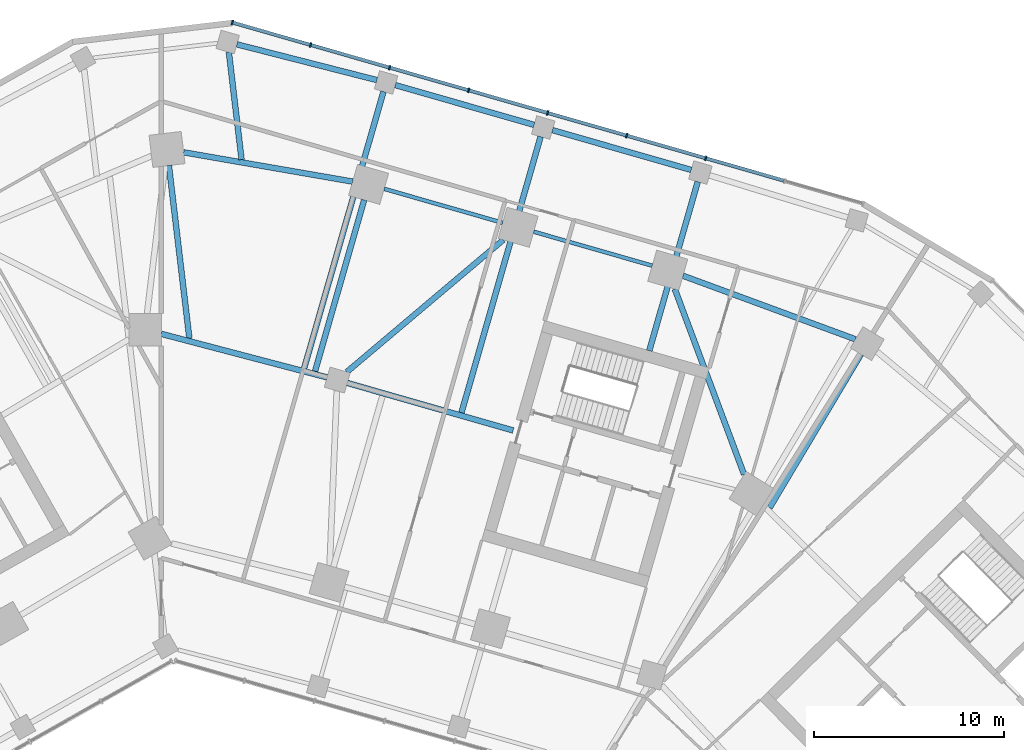
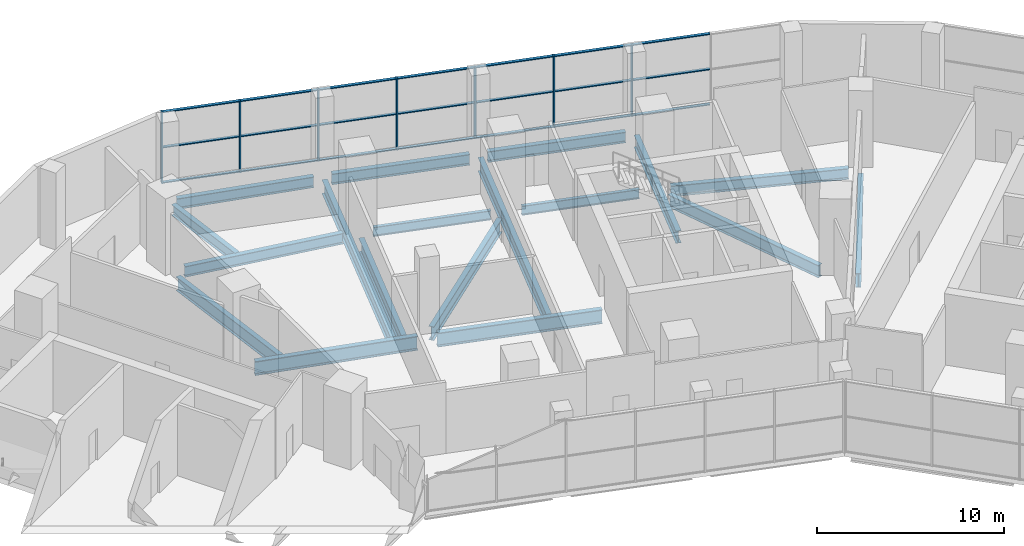
# One storey, part 7 of 18: 28 members, 18 beams, 1 element without a shape of its own.
"""IFC4 building model written with IfcOpenShell, lengths in metres."""

from ifc_helpers import new_model, si_unit, direction, frame, origin, origin_2d, place, context, subcontext, project, spatial, rectangle, i_section, extrude, material, material_profile, profile_set, type_object, element, aggregate, save


model = new_model("IFC4")

# Units and contexts
model_context = context("Model", 3, precision=1e-05, world=origin(), true_north=direction((0.0, 1.0)))
body_context = subcontext(model_context, "Body", "Model", "MODEL_VIEW")
ifc_project = project(units=[si_unit("LENGTHUNIT", "METRE"), si_unit("AREAUNIT", "SQUARE_METRE"), si_unit("VOLUMEUNIT", "CUBIC_METRE"), si_unit("PLANEANGLEUNIT", "RADIAN"), si_unit("MASSUNIT", "GRAM", prefix="KILO")], contexts=[model_context])

# Site, building, storey
site_placement = place(None, origin())
site = spatial("IfcSite", under=ifc_project, at=site_placement, CompositionType="ELEMENT")
building_placement = place(site_placement, origin())
building = spatial("IfcBuilding", under=site, at=building_placement, Name="Binnacle Exchange Tower", CompositionType="ELEMENT")
storey_placement = place(building_placement, frame((0.0, 0.0, 6.5)))
storey = spatial("IfcBuildingStorey", under=building, at=storey_placement, Name="L01", CompositionType="ELEMENT", Elevation=6.5)

# Curtain wall, members
ifc_material_1 = material(Name="Bronze anodised aluminium frame", Category="aluminium")
curtain_wall_type = type_object("IfcCurtainWallType", Name="External wall - curtain wall north entrance", PredefinedType="NOTDEFINED", material=ifc_material_1)
curtain_wall_placement = place(storey_placement, origin())
curtain_wall = element("IfcCurtainWall", 1, at=curtain_wall_placement, inside=storey, type_object=curtain_wall_type, Name="External wall curtain wall CW2-P00 L01", PredefinedType="NOTDEFINED")
ifc_material_profile_1 = material_profile(ifc_material_1, rectangle(XDim=0.25, YDim=0.080078125, at=origin_2d()), Name="AL 80x250")
ifc_profile_set_1 = profile_set([ifc_material_profile_1], Name="Bronze anodised aluminium frame")
member_type_1 = type_object("IfcMemberType", Name="CW2 MULLION 80x250", PredefinedType="MULLION", material=ifc_profile_set_1)
member_1_placement = place(storey_placement, frame((28.597412109375, 69.001220703125, 0.0), z_axis=(0.0, 0.0, 1.0), x_axis=(-0.275636946471, -0.961261813316, 0.0)))
member_1 = element("IfcMember", 2, at=member_1_placement, type_object=member_type_1, Name="CW2-P00 mullion 3", PredefinedType="MULLION", context=body_context, shape_type="SweptSolid", body=[
    extrude(rectangle(XDim=0.25, YDim=0.080078125, at=origin_2d()), origin(), (0.0, 0.0, 1.0), 4.64990234375),
])
member_2_placement = place(storey_placement, frame((24.446044921875, 70.191650390625, 0.0), z_axis=(0.0, 0.0, 1.0), x_axis=(-0.275636946471, -0.961261813316, 0.0)))
member_2 = element("IfcMember", 3, at=member_2_placement, type_object=member_type_1, Name="CW2-P00 mullion 4", PredefinedType="MULLION", context=body_context, shape_type="SweptSolid", body=[
    extrude(rectangle(XDim=0.25, YDim=0.080078125, at=origin_2d()), origin(), (0.0, 0.0, 1.0), 4.64990234375),
])
member_3_placement = place(storey_placement, frame((20.294677734375, 71.382080078125, 0.0), z_axis=(0.0, 0.0, 1.0), x_axis=(-0.275636946471, -0.961261813316, 0.0)))
member_3 = element("IfcMember", 4, at=member_3_placement, type_object=member_type_1, Name="CW2-P00 mullion 5", PredefinedType="MULLION", context=body_context, shape_type="SweptSolid", body=[
    extrude(rectangle(XDim=0.25, YDim=0.080078125, at=origin_2d()), origin(), (0.0, 0.0, 1.0), 4.64990234375),
])
member_4_placement = place(storey_placement, frame((16.143310546875, 72.572509765625, 0.0), z_axis=(0.0, 0.0, 1.0), x_axis=(-0.275636946471, -0.961261813316, 0.0)))
member_4 = element("IfcMember", 5, at=member_4_placement, type_object=member_type_1, Name="CW2-P00 mullion 6", PredefinedType="MULLION", context=body_context, shape_type="SweptSolid", body=[
    extrude(rectangle(XDim=0.25, YDim=0.080078125, at=origin_2d()), origin(), (0.0, 0.0, 1.0), 4.64990234375),
])
member_5_placement = place(storey_placement, frame((11.991943359375, 73.762939453125, 0.0), z_axis=(0.0, 0.0, 1.0), x_axis=(-0.275636946471, -0.961261813316, 0.0)))
member_5 = element("IfcMember", 6, at=member_5_placement, type_object=member_type_1, Name="CW2-P00 mullion 7", PredefinedType="MULLION", context=body_context, shape_type="SweptSolid", body=[
    extrude(rectangle(XDim=0.25, YDim=0.080078125, at=origin_2d()), origin(), (0.0, 0.0, 1.0), 4.64990234375),
])
member_6_placement = place(storey_placement, frame((7.840576171875, 74.953125, 0.0), z_axis=(0.0, 0.0, 1.0), x_axis=(-0.275636946471, -0.961261813316, 0.0)))
member_6 = element("IfcMember", 7, at=member_6_placement, type_object=member_type_1, Name="CW2-P00 mullion 8", PredefinedType="MULLION", context=body_context, shape_type="SweptSolid", body=[
    extrude(rectangle(XDim=0.25, YDim=0.080078125, at=origin_2d()), origin(), (0.0, 0.0, 1.0), 4.64990234375),
])
member_7_placement = place(storey_placement, frame((3.727783203125, 76.132568359375, 0.0), z_axis=(0.0, 0.0, 1.0), x_axis=(-0.275636946471, -0.961261813316, 0.0)))
member_7 = element("IfcMember", 8, at=member_7_placement, type_object=member_type_1, Name="CW2-P00 mullion 9", PredefinedType="MULLION", context=body_context, shape_type="SweptSolid", body=[
    extrude(rectangle(XDim=0.25, YDim=0.080078125, at=origin_2d()), origin(), (0.0, 0.0, 1.0), 4.64990234375),
])
ifc_material_profile_2 = material_profile(ifc_material_1, rectangle(XDim=0.179931640625, YDim=0.06005859375, at=origin_2d()), Name="AL 180x60")
ifc_profile_set_2 = profile_set([ifc_material_profile_2], Name="Bronze anodised aluminium frame")
member_type_2 = type_object("IfcMemberType", Name="CW2 TRANSOM 60x180", PredefinedType="USERDEFINED", material=ifc_profile_set_2)
member_8_placement = place(storey_placement, frame((32.710205078125, 67.822021484375, 0.030029296875), z_axis=(-0.961269230789, 0.275611077316, 0.0), x_axis=(-0.275611077316, -0.961269230789, 0.0)))
member_8 = element("IfcMember", 9, at=member_8_placement, type_object=member_type_2, Name="CW2-P00 transom 2.1", ObjectType="TRANSOM", PredefinedType="USERDEFINED", context=body_context, shape_type="SweptSolid", body=[
    extrude(rectangle(XDim=0.179931640625, YDim=0.06005859375, at=origin_2d()), origin(), (0.0, 0.0, 1.0), 4.238525390625),
])
member_9_placement = place(storey_placement, frame((32.710205078125, 67.822021484375, 2.324951171875), z_axis=(-0.961269230789, 0.275611077316, 0.0), x_axis=(-0.275611077316, -0.961269230789, 0.0)))
member_9 = element("IfcMember", 10, at=member_9_placement, type_object=member_type_2, Name="CW2-P00 transom 2.2", ObjectType="TRANSOM", PredefinedType="USERDEFINED", context=body_context, shape_type="SweptSolid", body=[
    extrude(rectangle(XDim=0.179931640625, YDim=0.06005859375, at=origin_2d()), origin(), (0.0, 0.0, 1.0), 4.238525390625),
])
member_10_placement = place(storey_placement, frame((32.710205078125, 67.822021484375, 4.6201171875), z_axis=(-0.961269230789, 0.275611077316, 0.0), x_axis=(-0.275611077316, -0.961269230789, 0.0)))
member_10 = element("IfcMember", 11, at=member_10_placement, type_object=member_type_2, Name="CW2-P00 transom 2.3", ObjectType="TRANSOM", PredefinedType="USERDEFINED", context=body_context, shape_type="SweptSolid", body=[
    extrude(rectangle(XDim=0.179931640625, YDim=0.06005859375, at=origin_2d()), origin(), (0.0, 0.0, 1.0), 4.238525390625),
])
member_11_placement = place(storey_placement, frame((28.558837890625, 69.012451171875, 0.030029296875), z_axis=(-0.961269230789, 0.275611077316, 0.0), x_axis=(-0.275611077316, -0.961269230789, 0.0)))
member_11 = element("IfcMember", 12, at=member_11_placement, type_object=member_type_2, Name="CW2-P00 transom 3.1", ObjectType="TRANSOM", PredefinedType="USERDEFINED", context=body_context, shape_type="SweptSolid", body=[
    extrude(rectangle(XDim=0.179931640625, YDim=0.06005859375, at=origin_2d()), origin(), (0.0, 0.0, 1.0), 4.238525390625),
])
member_12_placement = place(storey_placement, frame((28.558837890625, 69.012451171875, 2.324951171875), z_axis=(-0.961269230789, 0.275611077316, 0.0), x_axis=(-0.275611077316, -0.961269230789, 0.0)))
member_12 = element("IfcMember", 13, at=member_12_placement, type_object=member_type_2, Name="CW2-P00 transom 3.2", ObjectType="TRANSOM", PredefinedType="USERDEFINED", context=body_context, shape_type="SweptSolid", body=[
    extrude(rectangle(XDim=0.179931640625, YDim=0.06005859375, at=origin_2d()), origin(), (0.0, 0.0, 1.0), 4.238525390625),
])
member_13_placement = place(storey_placement, frame((28.558837890625, 69.012451171875, 4.6201171875), z_axis=(-0.961269230789, 0.275611077316, 0.0), x_axis=(-0.275611077316, -0.961269230789, 0.0)))
member_13 = element("IfcMember", 14, at=member_13_placement, type_object=member_type_2, Name="CW2-P00 transom 3.3", ObjectType="TRANSOM", PredefinedType="USERDEFINED", context=body_context, shape_type="SweptSolid", body=[
    extrude(rectangle(XDim=0.179931640625, YDim=0.06005859375, at=origin_2d()), origin(), (0.0, 0.0, 1.0), 4.238525390625),
])
member_14_placement = place(storey_placement, frame((24.407470703125, 70.20263671875, 0.030029296875), z_axis=(-0.961249592204, 0.275679563057, 0.0), x_axis=(-0.275679563057, -0.961249592204, 0.0)))
member_14 = element("IfcMember", 15, at=member_14_placement, type_object=member_type_2, Name="CW2-P00 transom 4.1", ObjectType="TRANSOM", PredefinedType="USERDEFINED", context=body_context, shape_type="SweptSolid", body=[
    extrude(rectangle(XDim=0.179931640625, YDim=0.06005859375, at=origin_2d()), origin(), (0.0, 0.0, 1.0), 4.238525390625),
])
member_15_placement = place(storey_placement, frame((24.407470703125, 70.20263671875, 2.324951171875), z_axis=(-0.961249592204, 0.275679563057, 0.0), x_axis=(-0.275679563057, -0.961249592204, 0.0)))
member_15 = element("IfcMember", 16, at=member_15_placement, type_object=member_type_2, Name="CW2-P00 transom 4.2", ObjectType="TRANSOM", PredefinedType="USERDEFINED", context=body_context, shape_type="SweptSolid", body=[
    extrude(rectangle(XDim=0.179931640625, YDim=0.06005859375, at=origin_2d()), origin(), (0.0, 0.0, 1.0), 4.238525390625),
])
member_16_placement = place(storey_placement, frame((24.407470703125, 70.20263671875, 4.6201171875), z_axis=(-0.961249592204, 0.275679563057, 0.0), x_axis=(-0.275679563057, -0.961249592204, 0.0)))
member_16 = element("IfcMember", 17, at=member_16_placement, type_object=member_type_2, Name="CW2-P00 transom 4.3", ObjectType="TRANSOM", PredefinedType="USERDEFINED", context=body_context, shape_type="SweptSolid", body=[
    extrude(rectangle(XDim=0.179931640625, YDim=0.06005859375, at=origin_2d()), origin(), (0.0, 0.0, 1.0), 4.238525390625),
])
member_17_placement = place(storey_placement, frame((20.25634765625, 71.39306640625, 0.030029296875), z_axis=(-0.961253969491, 0.275664299717, 0.0), x_axis=(-0.275664299717, -0.961253969491, 0.0)))
member_17 = element("IfcMember", 18, at=member_17_placement, type_object=member_type_2, Name="CW2-P00 transom 5.1", ObjectType="TRANSOM", PredefinedType="USERDEFINED", context=body_context, shape_type="SweptSolid", body=[
    extrude(rectangle(XDim=0.179931640625, YDim=0.06005859375, at=origin_2d()), origin(), (0.0, 0.0, 1.0), 4.23876953125),
])
member_18_placement = place(storey_placement, frame((20.25634765625, 71.39306640625, 2.324951171875), z_axis=(-0.961253969491, 0.275664299717, 0.0), x_axis=(-0.275664299717, -0.961253969491, 0.0)))
member_18 = element("IfcMember", 19, at=member_18_placement, type_object=member_type_2, Name="CW2-P00 transom 5.2", ObjectType="TRANSOM", PredefinedType="USERDEFINED", context=body_context, shape_type="SweptSolid", body=[
    extrude(rectangle(XDim=0.179931640625, YDim=0.06005859375, at=origin_2d()), origin(), (0.0, 0.0, 1.0), 4.23876953125),
])
member_19_placement = place(storey_placement, frame((20.25634765625, 71.39306640625, 4.6201171875), z_axis=(-0.961253969491, 0.275664299717, 0.0), x_axis=(-0.275664299717, -0.961253969491, 0.0)))
member_19 = element("IfcMember", 20, at=member_19_placement, type_object=member_type_2, Name="CW2-P00 transom 5.3", ObjectType="TRANSOM", PredefinedType="USERDEFINED", context=body_context, shape_type="SweptSolid", body=[
    extrude(rectangle(XDim=0.179931640625, YDim=0.06005859375, at=origin_2d()), origin(), (0.0, 0.0, 1.0), 4.23876953125),
])
member_20_placement = place(storey_placement, frame((16.10498046875, 72.58349609375, 0.030029296875), z_axis=(-0.961269230789, 0.275611077316, 0.0), x_axis=(-0.275611077316, -0.961269230789, 0.0)))
member_20 = element("IfcMember", 21, at=member_20_placement, type_object=member_type_2, Name="CW2-P00 transom 6.1", ObjectType="TRANSOM", PredefinedType="USERDEFINED", context=body_context, shape_type="SweptSolid", body=[
    extrude(rectangle(XDim=0.179931640625, YDim=0.06005859375, at=origin_2d()), origin(), (0.0, 0.0, 1.0), 4.238525390625),
])
member_21_placement = place(storey_placement, frame((16.10498046875, 72.58349609375, 2.324951171875), z_axis=(-0.961269230789, 0.275611077316, 0.0), x_axis=(-0.275611077316, -0.961269230789, 0.0)))
member_21 = element("IfcMember", 22, at=member_21_placement, type_object=member_type_2, Name="CW2-P00 transom 6.2", ObjectType="TRANSOM", PredefinedType="USERDEFINED", context=body_context, shape_type="SweptSolid", body=[
    extrude(rectangle(XDim=0.179931640625, YDim=0.06005859375, at=origin_2d()), origin(), (0.0, 0.0, 1.0), 4.238525390625),
])
member_22_placement = place(storey_placement, frame((16.10498046875, 72.58349609375, 4.6201171875), z_axis=(-0.961269230789, 0.275611077316, 0.0), x_axis=(-0.275611077316, -0.961269230789, 0.0)))
member_22 = element("IfcMember", 23, at=member_22_placement, type_object=member_type_2, Name="CW2-P00 transom 6.3", ObjectType="TRANSOM", PredefinedType="USERDEFINED", context=body_context, shape_type="SweptSolid", body=[
    extrude(rectangle(XDim=0.179931640625, YDim=0.06005859375, at=origin_2d()), origin(), (0.0, 0.0, 1.0), 4.238525390625),
])
member_23_placement = place(storey_placement, frame((11.95361328125, 73.77392578125, 0.030029296875), z_axis=(-0.961269230789, 0.275611077316, 0.0), x_axis=(-0.275611077316, -0.961269230789, 0.0)))
member_23 = element("IfcMember", 24, at=member_23_placement, type_object=member_type_2, Name="CW2-P00 transom 7.1", ObjectType="TRANSOM", PredefinedType="USERDEFINED", context=body_context, shape_type="SweptSolid", body=[
    extrude(rectangle(XDim=0.179931640625, YDim=0.06005859375, at=origin_2d()), origin(), (0.0, 0.0, 1.0), 4.238525390625),
])
member_24_placement = place(storey_placement, frame((11.95361328125, 73.77392578125, 2.324951171875), z_axis=(-0.961269230789, 0.275611077316, 0.0), x_axis=(-0.275611077316, -0.961269230789, 0.0)))
member_24 = element("IfcMember", 25, at=member_24_placement, type_object=member_type_2, Name="CW2-P00 transom 7.2", ObjectType="TRANSOM", PredefinedType="USERDEFINED", context=body_context, shape_type="SweptSolid", body=[
    extrude(rectangle(XDim=0.179931640625, YDim=0.06005859375, at=origin_2d()), origin(), (0.0, 0.0, 1.0), 4.238525390625),
])
member_25_placement = place(storey_placement, frame((11.95361328125, 73.77392578125, 4.6201171875), z_axis=(-0.961269230789, 0.275611077316, 0.0), x_axis=(-0.275611077316, -0.961269230789, 0.0)))
member_25 = element("IfcMember", 26, at=member_25_placement, type_object=member_type_2, Name="CW2-P00 transom 7.3", ObjectType="TRANSOM", PredefinedType="USERDEFINED", context=body_context, shape_type="SweptSolid", body=[
    extrude(rectangle(XDim=0.179931640625, YDim=0.06005859375, at=origin_2d()), origin(), (0.0, 0.0, 1.0), 4.238525390625),
])
member_26_placement = place(storey_placement, frame((7.80224609375, 74.964111328125, 0.030029296875), z_axis=(-0.961249184076, 0.275680986129, 0.0), x_axis=(-0.275680986129, -0.961249184076, 0.0)))
member_26 = element("IfcMember", 27, at=member_26_placement, type_object=member_type_2, Name="CW2-P00 transom 8.1", ObjectType="TRANSOM", PredefinedType="USERDEFINED", context=body_context, shape_type="SweptSolid", body=[
    extrude(rectangle(XDim=0.179931640625, YDim=0.06005859375, at=origin_2d()), origin(), (0.0, 0.0, 1.0), 4.198486328125),
])
member_27_placement = place(storey_placement, frame((7.80224609375, 74.964111328125, 2.324951171875), z_axis=(-0.961249184076, 0.275680986129, 0.0), x_axis=(-0.275680986129, -0.961249184076, 0.0)))
member_27 = element("IfcMember", 28, at=member_27_placement, type_object=member_type_2, Name="CW2-P00 transom 8.2", ObjectType="TRANSOM", PredefinedType="USERDEFINED", context=body_context, shape_type="SweptSolid", body=[
    extrude(rectangle(XDim=0.179931640625, YDim=0.06005859375, at=origin_2d()), origin(), (0.0, 0.0, 1.0), 4.198486328125),
])
member_28_placement = place(storey_placement, frame((7.80224609375, 74.964111328125, 4.6201171875), z_axis=(-0.961249184076, 0.275680986129, 0.0), x_axis=(-0.275680986129, -0.961249184076, 0.0)))
member_28 = element("IfcMember", 29, at=member_28_placement, type_object=member_type_2, Name="CW2-P00 transom 8.3", ObjectType="TRANSOM", PredefinedType="USERDEFINED", context=body_context, shape_type="SweptSolid", body=[
    extrude(rectangle(XDim=0.179931640625, YDim=0.06005859375, at=origin_2d()), origin(), (0.0, 0.0, 1.0), 4.198486328125),
])
aggregate(curtain_wall, [member_1, member_2, member_3, member_4, member_5, member_6, member_7, member_8, member_9, member_10, member_11, member_12, member_13, member_14, member_15, member_16, member_17, member_18, member_19, member_20, member_21, member_22, member_23, member_24, member_25, member_26, member_27, member_28])

# Beams
ifc_material_2 = material(Name="Steel S355 (SHN355)", Category="steel")
ifc_material_profile_3 = material_profile(ifc_material_2, i_section(OverallWidth=0.201904296875, OverallDepth=0.612060546875, WebThickness=0.012939453125, FlangeThickness=0.02294921875, FilletRadius=0.02197265625, at=origin_2d()), Name="H 612x202x13x23")
ifc_profile_set_3 = profile_set([ifc_material_profile_3], Name="Steel S355 (SHN355)")
beam_type_1 = type_object("IfcBeamType", Name="Edge girder H 612x202x13x23 Steel S355 (SHN355)", PredefinedType="SPANDREL", material=ifc_profile_set_3)
for number, where, z_axis, x_axis, name in (
    (30, (17.92919921875, 65.610595703125, -0.656005859375), (-0.961261624999, 0.275637603213, 0.0), (-0.275637603213, -0.961261624999, 0.0), "S:BM:edge:L01:052"),
    (31, (25.78564453125, 63.35791015625, -0.656005859375), (-0.961271618025, 0.275602751036, 0.0), (-0.275602751036, -0.961271618025, 0.0), "S:BM:edge:L01:056"),
):
    element("IfcBeam", number, at=place(storey_placement, frame(where, z_axis=z_axis, x_axis=x_axis)), inside=storey, type_object=beam_type_1, Name=name, PredefinedType="SPANDREL", context=body_context, shape_type="SweptSolid", body=[
        extrude(i_section(OverallWidth=0.201904296875, OverallDepth=0.612060546875, WebThickness=0.012939453125, FlangeThickness=0.02294921875, FilletRadius=0.02197265625, at=origin_2d()), origin(), (0.0, 0.0, 1.0), 6.472900390625),
    ])
ifc_material_profile_4 = material_profile(ifc_material_2, i_section(OverallWidth=0.300048828125, OverallDepth=0.699951171875, WebThickness=0.012939453125, FlangeThickness=0.02392578125, FilletRadius=0.028076171875, at=origin_2d()), Name="H 700x300x13x24")
ifc_profile_set_4 = profile_set([ifc_material_profile_4], Name="Steel S355 (SHN355)")
beam_type_2 = type_object("IfcBeamType", Name="Edge girder H 700x300x13x24 Steel S355 (SHN355)", PredefinedType="SPANDREL", material=ifc_profile_set_4)
beam_1_placement = place(storey_placement, frame((3.970703125, 74.985595703125, -0.699951171875), z_axis=(0.96888078872, -0.247527811062, 0.0), x_axis=(0.247527811062, 0.96888078872, 0.0)))
element("IfcBeam", 32, at=beam_1_placement, inside=storey, type_object=beam_type_2, Name="S:BM:edge:L01:046", PredefinedType="SPANDREL", context=body_context, shape_type="SweptSolid", body=[
    extrude(i_section(OverallWidth=0.300048828125, OverallDepth=0.699951171875, WebThickness=0.012939453125, FlangeThickness=0.02392578125, FilletRadius=0.028076171875, at=origin_2d()), origin(), (0.0, 0.0, 1.0), 7.589599609375),
])
beam_2_placement = place(storey_placement, frame((10.047607421875, 67.77490234375, -0.699951171875), z_axis=(-0.985312460293, 0.17076110679, 0.0), x_axis=(-0.17076110679, -0.985312460293, 0.0)))
element("IfcBeam", 33, at=beam_2_placement, inside=storey, type_object=beam_type_2, Name="S:BM:edge:L01:049", PredefinedType="SPANDREL", context=body_context, shape_type="SweptSolid", body=[
    extrude(i_section(OverallWidth=0.300048828125, OverallDepth=0.699951171875, WebThickness=0.012939453125, FlangeThickness=0.02392578125, FilletRadius=0.028076171875, at=origin_2d()), origin(), (0.0, 0.0, 1.0), 9.005859375),
])
beam_3_placement = place(storey_placement, frame((12.289306640625, 72.84521484375, -0.699951171875), z_axis=(0.961270944274, -0.275605100996, 0.0), x_axis=(0.275605100996, 0.961270944274, 0.0)))
element("IfcBeam", 34, at=beam_3_placement, inside=storey, type_object=beam_type_2, Name="S:BM:edge:L01:050", PredefinedType="SPANDREL", context=body_context, shape_type="SweptSolid", body=[
    extrude(i_section(OverallWidth=0.300048828125, OverallDepth=0.699951171875, WebThickness=0.012939453125, FlangeThickness=0.02392578125, FilletRadius=0.028076171875, at=origin_2d()), origin(), (0.0, 0.0, 1.0), 7.586181640625),
])
beam_4_placement = place(storey_placement, frame((20.54296875, 70.478759765625, -0.699951171875), z_axis=(0.961262417922, -0.275634837948, 0.0), x_axis=(0.275634837948, 0.961262417922, 0.0)))
element("IfcBeam", 35, at=beam_4_placement, inside=storey, type_object=beam_type_2, Name="S:BM:edge:L01:054", PredefinedType="SPANDREL", context=body_context, shape_type="SweptSolid", body=[
    extrude(i_section(OverallWidth=0.300048828125, OverallDepth=0.699951171875, WebThickness=0.012939453125, FlangeThickness=0.02392578125, FilletRadius=0.028076171875, at=origin_2d()), origin(), (0.0, 0.0, 1.0), 7.58642578125),
])
ifc_material_profile_5 = material_profile(ifc_material_2, i_section(OverallWidth=0.302001953125, OverallDepth=0.7080078125, WebThickness=0.014892578125, FlangeThickness=0.028076171875, FilletRadius=0.028076171875, at=origin_2d()), Name="H 708x302x15x28")
ifc_profile_set_5 = profile_set([ifc_material_profile_5], Name="Steel S355 (SHN355)")
beam_type_3 = type_object("IfcBeamType", Name="Edge girder H 708x302x15x28 Steel S355 (SHN355)", PredefinedType="SPANDREL", material=ifc_profile_set_5)
beam_5_placement = place(storey_placement, frame((36.464599609375, 59.490966796875, -0.7041015625), z_axis=(-0.938368148393, 0.345637408395, 0.0), x_axis=(-0.345637408395, -0.938368148393, 0.0)))
element("IfcBeam", 36, at=beam_5_placement, inside=storey, type_object=beam_type_3, Name="S:BM:edge:L01:061", PredefinedType="SPANDREL", context=body_context, shape_type="SweptSolid", body=[
    extrude(i_section(OverallWidth=0.302001953125, OverallDepth=0.7080078125, WebThickness=0.014892578125, FlangeThickness=0.028076171875, FilletRadius=0.028076171875, at=origin_2d()), origin(), (0.0, 0.0, 1.0), 9.6572265625),
])
ifc_material_profile_6 = material_profile(ifc_material_2, i_section(OverallWidth=0.300048828125, OverallDepth=0.699951171875, WebThickness=0.012939453125, FlangeThickness=0.02392578125, FilletRadius=0.028076171875, at=origin_2d()), Name="H 700x300x13x24")
ifc_profile_set_6 = profile_set([ifc_material_profile_6], Name="Steel S355 (SHN355)")
beam_type_4 = type_object("IfcBeamType", Name="Floor beam H 700x300x13x24 Steel S355 (SHN355)", PredefinedType="BEAM", material=ifc_profile_set_6)
beam_6_placement = place(storey_placement, frame((3.5498046875, 74.571044921875, -0.699951171875), z_axis=(0.117529616855, -0.993069377819, 0.0), x_axis=(0.993069377819, 0.117529616855, 0.0)))
element("IfcBeam", 37, at=beam_6_placement, inside=storey, type_object=beam_type_4, Name="S:BM:cross:L01:104", PredefinedType="BEAM", context=body_context, shape_type="SweptSolid", body=[
    extrude(i_section(OverallWidth=0.300048828125, OverallDepth=0.699951171875, WebThickness=0.012939453125, FlangeThickness=0.02392578125, FilletRadius=0.028076171875, at=origin_2d()), origin(), (0.0, 0.0, 1.0), 5.67919921875),
])
ifc_material_profile_7 = material_profile(ifc_material_2, i_section(OverallWidth=0.302001953125, OverallDepth=0.80810546875, WebThickness=0.01611328125, FlangeThickness=0.030029296875, FilletRadius=0.028076171875, at=origin_2d()), Name="H 808x302x16x30")
ifc_profile_set_7 = profile_set([ifc_material_profile_7], Name="Steel S355 (SHN355)")
beam_type_5 = type_object("IfcBeamType", Name="Floor beam H 808x302x16x30 Steel S355 (SHN355)", PredefinedType="BEAM", material=ifc_profile_set_7)
beam_7_placement = place(storey_placement, frame((28.17822265625, 67.769287109375, -0.75390625), z_axis=(-0.275646254267, -0.961259144304, 0.0), x_axis=(0.961259144304, -0.275646254267, 0.0)))
element("IfcBeam", 38, at=beam_7_placement, inside=storey, type_object=beam_type_5, Name="S:BM:cross:L01:112", PredefinedType="BEAM", context=body_context, shape_type="SweptSolid", body=[
    extrude(i_section(OverallWidth=0.302001953125, OverallDepth=0.80810546875, WebThickness=0.01611328125, FlangeThickness=0.030029296875, FilletRadius=0.028076171875, at=origin_2d()), origin(), (0.0, 0.0, 1.0), 9.235107421875),
])
ifc_material_profile_8 = material_profile(ifc_material_2, i_section(OverallWidth=0.300048828125, OverallDepth=0.89990234375, WebThickness=0.01611328125, FlangeThickness=0.028076171875, FilletRadius=0.028076171875, at=origin_2d()), Name="H 900x300x16x28")
ifc_profile_set_8 = profile_set([ifc_material_profile_8], Name="Steel S355 (SHN355)")
beam_type_6 = type_object("IfcBeamType", Name="Floor beam H 900x300x16x28 Steel S355 (SHN355)", PredefinedType="BEAM", material=ifc_profile_set_8)
beam_8_placement = place(storey_placement, frame((0.39990234375, 68.6201171875, -0.800048828125), z_axis=(0.117562643201, -0.993065468599, 0.0), x_axis=(0.993065468599, 0.117562643201, 0.0)))
element("IfcBeam", 39, at=beam_8_placement, inside=storey, type_object=beam_type_6, Name="S:BM:cross:L01:103", PredefinedType="BEAM", context=body_context, shape_type="SweptSolid", body=[
    extrude(i_section(OverallWidth=0.300048828125, OverallDepth=0.89990234375, WebThickness=0.01611328125, FlangeThickness=0.028076171875, FilletRadius=0.028076171875, at=origin_2d()), origin(), (0.0, 0.0, 1.0), 9.14990234375),
])
beam_9_placement = place(storey_placement, frame((36.752685546875, 58.703857421875, -0.800048828125), z_axis=(-0.511298188751, -0.859403375709, 0.0), x_axis=(0.859403375709, -0.511298188751, 0.0)))
element("IfcBeam", 40, at=beam_9_placement, inside=storey, type_object=beam_type_6, Name="S:BM:cross:L01:116", PredefinedType="BEAM", context=body_context, shape_type="SweptSolid", body=[
    extrude(i_section(OverallWidth=0.300048828125, OverallDepth=0.89990234375, WebThickness=0.01611328125, FlangeThickness=0.028076171875, FilletRadius=0.028076171875, at=origin_2d()), origin(), (0.0, 0.0, 1.0), 9.385986328125),
])
ifc_material_profile_9 = material_profile(ifc_material_2, i_section(OverallWidth=0.302001953125, OverallDepth=0.912109375, WebThickness=0.01806640625, FlangeThickness=0.033935546875, FilletRadius=0.028076171875, at=origin_2d()), Name="H 912x302x18x34")
ifc_profile_set_9 = profile_set([ifc_material_profile_9], Name="Steel S355 (SHN355)")
beam_type_7 = type_object("IfcBeamType", Name="Floor beam H 912x302x18x34 Steel S355 (SHN355)", PredefinedType="BEAM", material=ifc_profile_set_9)
beam_10_placement = place(storey_placement, frame((10.65576171875, 66.81201171875, -0.805908203125), z_axis=(-0.275626703457, -0.961264750389, 0.0), x_axis=(0.961264750389, -0.275626703457, 0.0)))
element("IfcBeam", 41, at=beam_10_placement, inside=storey, type_object=beam_type_7, Name="S:BM:cross:L01:107", PredefinedType="BEAM", context=body_context, shape_type="SweptSolid", body=[
    extrude(i_section(OverallWidth=0.302001953125, OverallDepth=0.912109375, WebThickness=0.01806640625, FlangeThickness=0.033935546875, FilletRadius=0.028076171875, at=origin_2d()), origin(), (0.0, 0.0, 1.0), 9.363525390625),
])
ifc_material_profile_10 = material_profile(ifc_material_2, i_section(OverallWidth=0.302978515625, OverallDepth=0.91796875, WebThickness=0.01904296875, FlangeThickness=0.037109375, FilletRadius=0.028076171875, at=origin_2d()), Name="H 918x303x19x37")
ifc_profile_set_10 = profile_set([ifc_material_profile_10], Name="Steel S355 (SHN355)")
beam_type_8 = type_object("IfcBeamType", Name="Floor beam H 918x303x19x37 Steel S355 (SHN355)", PredefinedType="BEAM", material=ifc_profile_set_10)
beam_11_placement = place(storey_placement, frame((11.6708984375, 72.50244140625, -0.80908203125), z_axis=(-0.275622715185, -0.961265893951, 0.0), x_axis=(0.961265893951, -0.275622715185, 0.0)))
element("IfcBeam", 42, at=beam_11_placement, inside=storey, type_object=beam_type_8, Name="S:BM:cross:L01:108", PredefinedType="BEAM", context=body_context, shape_type="SweptSolid", body=[
    extrude(i_section(OverallWidth=0.302978515625, OverallDepth=0.91796875, WebThickness=0.01904296875, FlangeThickness=0.037109375, FilletRadius=0.028076171875, at=origin_2d()), origin(), (0.0, 0.0, 1.0), 15.12646484375),
])
beam_12_placement = place(storey_placement, frame((19.924560546875, 70.135986328125, -0.80908203125), z_axis=(-0.275629445944, -0.961263964023, 0.0), x_axis=(0.961263964023, -0.275629445944, 0.0)))
element("IfcBeam", 43, at=beam_12_placement, inside=storey, type_object=beam_type_8, Name="S:BM:cross:L01:110", PredefinedType="BEAM", context=body_context, shape_type="SweptSolid", body=[
    extrude(i_section(OverallWidth=0.302978515625, OverallDepth=0.91796875, WebThickness=0.01904296875, FlangeThickness=0.037109375, FilletRadius=0.028076171875, at=origin_2d()), origin(), (0.0, 0.0, 1.0), 15.085205078125),
])
ifc_material_profile_11 = material_profile(ifc_material_2, i_section(OverallWidth=0.302001953125, OverallDepth=0.80810546875, WebThickness=0.01611328125, FlangeThickness=0.030029296875, FilletRadius=0.028076171875, at=origin_2d()), Name="H 808x302x16x30")
ifc_profile_set_11 = profile_set([ifc_material_profile_11], Name="Steel S355 (SHN355)")
beam_type_9 = type_object("IfcBeamType", Name="Spine girder H 808x302x16x30 Steel S355 (SHN355)", PredefinedType="BEAM", material=ifc_profile_set_11)
beam_13_placement = place(storey_placement, frame((30.614501953125, 52.389892578125, -0.75390625), z_axis=(-0.350104624168, 0.936710602126, 0.0), x_axis=(-0.936710602126, -0.350104624168, 0.0)))
element("IfcBeam", 44, at=beam_13_placement, inside=storey, type_object=beam_type_9, Name="S:BM:spine:L01:011", PredefinedType="BEAM", context=body_context, shape_type="SweptSolid", body=[
    extrude(i_section(OverallWidth=0.302001953125, OverallDepth=0.80810546875, WebThickness=0.01611328125, FlangeThickness=0.030029296875, FilletRadius=0.028076171875, at=origin_2d()), origin(), (0.0, 0.0, 1.0), 10.4013671875),
])
ifc_material_profile_12 = material_profile(ifc_material_2, i_section(OverallWidth=0.300048828125, OverallDepth=0.89990234375, WebThickness=0.01611328125, FlangeThickness=0.028076171875, FilletRadius=0.028076171875, at=origin_2d()), Name="H 900x300x16x28")
ifc_profile_set_12 = profile_set([ifc_material_profile_12], Name="Steel S355 (SHN355)")
beam_type_10 = type_object("IfcBeamType", Name="Spine girder H 900x300x16x28 Steel S355 (SHN355)", PredefinedType="BEAM", material=ifc_profile_set_12)
beam_14_placement = place(storey_placement, frame((9.74658203125, 57.77734375, -0.800048828125), z_axis=(0.764072930463, 0.64512987602, 0.0), x_axis=(-0.64512987602, 0.764072930463, 0.0)))
element("IfcBeam", 45, at=beam_14_placement, inside=storey, type_object=beam_type_10, Name="S:BM:spine:L01:008", PredefinedType="BEAM", context=body_context, shape_type="SweptSolid", body=[
    extrude(i_section(OverallWidth=0.300048828125, OverallDepth=0.89990234375, WebThickness=0.01611328125, FlangeThickness=0.028076171875, FilletRadius=0.028076171875, at=origin_2d()), origin(), (0.0, 0.0, 1.0), 10.755615234375),
])
ifc_material_profile_13 = material_profile(ifc_material_2, i_section(OverallWidth=0.302978515625, OverallDepth=0.91796875, WebThickness=0.01904296875, FlangeThickness=0.037109375, FilletRadius=0.028076171875, at=origin_2d()), Name="H 918x303x19x37")
ifc_profile_set_13 = profile_set([ifc_material_profile_13], Name="Steel S355 (SHN355)")
beam_type_11 = type_object("IfcBeamType", Name="Spine girder H 918x303x19x37 Steel S355 (SHN355)", PredefinedType="BEAM", material=ifc_profile_set_13)
beam_15_placement = place(storey_placement, frame((0.0, 59.77685546875, -0.80908203125), z_axis=(0.967208571477, -0.253983423202, 0.0), x_axis=(0.253983423202, 0.967208571477, 0.0)))
element("IfcBeam", 46, at=beam_15_placement, inside=storey, type_object=beam_type_11, Name="S:BM:spine:L01:006", PredefinedType="BEAM", context=body_context, shape_type="SweptSolid", body=[
    extrude(i_section(OverallWidth=0.302978515625, OverallDepth=0.91796875, WebThickness=0.01904296875, FlangeThickness=0.037109375, FilletRadius=0.028076171875, at=origin_2d()), origin(), (0.0, 0.0, 1.0), 9.00390625),
])
beam_16_placement = place(storey_placement, frame((9.76953125, 57.198486328125, -0.80908203125), z_axis=(0.961265329417, -0.275624684057, 0.0), x_axis=(0.275624684057, 0.961265329417, 0.0)))
element("IfcBeam", 47, at=beam_16_placement, inside=storey, type_object=beam_type_11, Name="S:BM:spine:L01:009", PredefinedType="BEAM", context=body_context, shape_type="SweptSolid", body=[
    extrude(i_section(OverallWidth=0.302978515625, OverallDepth=0.91796875, WebThickness=0.01904296875, FlangeThickness=0.037109375, FilletRadius=0.028076171875, at=origin_2d()), origin(), (0.0, 0.0, 1.0), 9.063232421875),
])

save(model, "model.ifc")
